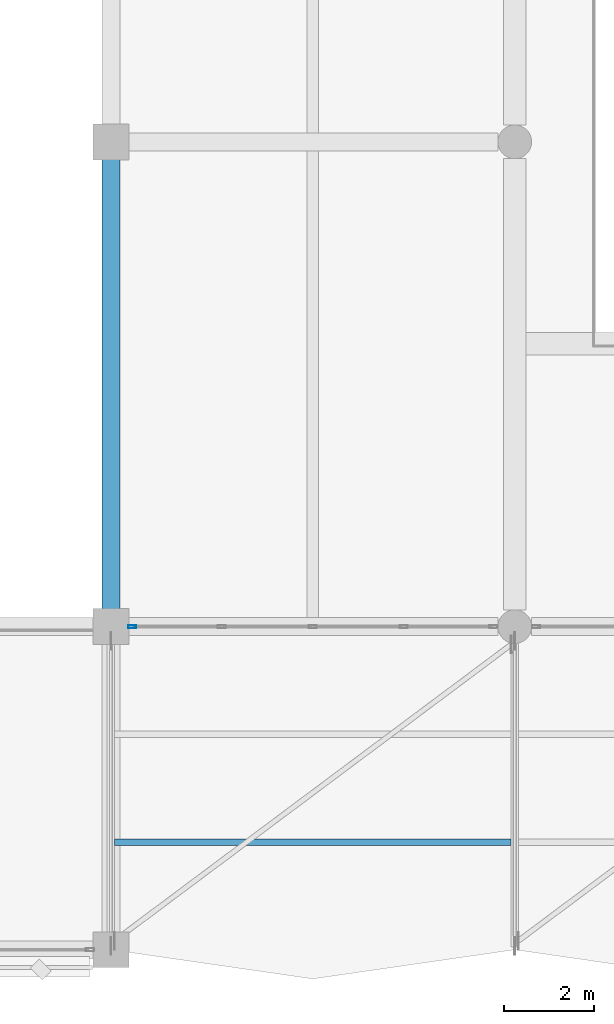
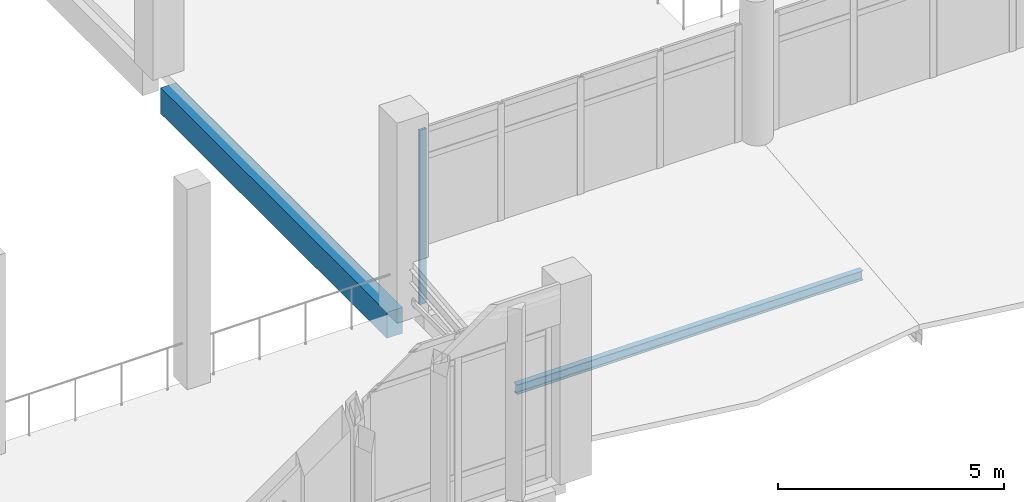
# One storey, part 33 of 180: 2 beams, 1 member, 1 element without a shape of its own.
"""IFC4 building model written with IfcOpenShell, lengths in metres."""

from ifc_helpers import new_model, si_unit, direction, frame, origin, origin_2d, place, context, subcontext, project, spatial, rectangle, hollow_rectangle, i_section, extrude, material, material_profile, profile_set, type_object, element, aggregate, save


model = new_model("IFC4")

# Units and contexts
model_context = context("Model", 3, precision=1e-05, world=origin(), true_north=direction((0.0, 1.0)))
body_context = subcontext(model_context, "Body", "Model", "MODEL_VIEW")
ifc_project = project(units=[si_unit("LENGTHUNIT", "METRE"), si_unit("AREAUNIT", "SQUARE_METRE"), si_unit("VOLUMEUNIT", "CUBIC_METRE"), si_unit("PLANEANGLEUNIT", "RADIAN"), si_unit("MASSUNIT", "GRAM", prefix="KILO")], contexts=[model_context])

# Site, building, storey
site_placement = place(None, origin())
site = spatial("IfcSite", under=ifc_project, at=site_placement, CompositionType="ELEMENT")
building_placement = place(site_placement, origin())
building = spatial("IfcBuilding", under=site, at=building_placement, Name="Lusvemor Sports Hall", CompositionType="ELEMENT")
storey_placement = place(building_placement, frame((0.0, 0.0, 5.39990234375)))
storey = spatial("IfcBuildingStorey", under=building, at=storey_placement, Name="L01", CompositionType="ELEMENT", Elevation=5.39990234375)

# Curtain wall, member
ifc_material_1 = material(Name="Thermally broken bronze-anodized aluminium", Category="aluminium")
curtain_wall_type = type_object("IfcCurtainWallType", Name="CW_FOYER_A", PredefinedType="NOTDEFINED", material=ifc_material_1)
curtain_wall_placement = place(storey_placement, origin())
curtain_wall = element("IfcCurtainWall", 1, at=curtain_wall_placement, inside=storey, type_object=curtain_wall_type, Name="Curtain Wall CW-V4S-L01-0", PredefinedType="NOTDEFINED")
ifc_material_2 = material(Name="Thermally broken bronze-anodized aluminium", Category="aluminium")
ifc_material_profile_1 = material_profile(ifc_material_2, hollow_rectangle(XDim=0.070068359375, YDim=0.179931640625, WallThickness=0.0048828125, InnerFilletRadius=0.0048828125, OuterFilletRadius=0.010009765625, at=origin_2d()), Name="CWMUL180x70x5")
ifc_profile_set_1 = profile_set([ifc_material_profile_1], Name="Thermally broken bronze-anodized aluminium")
member_type = type_object("IfcMemberType", Name="CW_MUL_A", PredefinedType="MULLION", material=ifc_profile_set_1)
member_placement = place(storey_placement, frame((76.074951171875, 7.199951171875, 0.0), z_axis=(0.0, 0.0, 1.0), x_axis=(0.0, -1.0, 0.0)))
member = element("IfcMember", 2, at=member_placement, type_object=member_type, Name="CW01 mullion 5", PredefinedType="MULLION", context=body_context, shape_type="SweptSolid", body=[
    extrude(hollow_rectangle(XDim=0.070068359375, YDim=0.179931640625, WallThickness=0.0048828125, InnerFilletRadius=0.0048828125, OuterFilletRadius=0.010009765625, at=origin_2d()), origin(), (0.0, 0.0, 1.0), 4.7001953125),
])
aggregate(curtain_wall, [member])

# Beams
ifc_material_3 = material(Name="Steel S355", Category="steel")
ifc_material_profile_2 = material_profile(ifc_material_3, i_section(OverallWidth=0.14599609375, OverallDepth=0.258056640625, WebThickness=0.006103515625, FlangeThickness=0.009033203125, FilletRadius=0.012939453125, at=origin_2d()), Name="W250x32.7")
ifc_profile_set_2 = profile_set([ifc_material_profile_2], Name="Steel S355")
beam_type_1 = type_object("IfcBeamType", Name="JOIST_CANOPY", PredefinedType="JOIST", material=ifc_profile_set_2)
beam_1_placement = place(storey_placement, frame((75.679931640625, 2.39990234375, 0.74658203125), z_axis=(1.0, 0.0, 0.0), x_axis=(0.0, 1.0, 0.0)))
element("IfcBeam", 3, at=beam_1_placement, inside=storey, type_object=beam_type_1, Name="Canopy Purlin Joist 8-1", PredefinedType="JOIST", context=body_context, shape_type="SweptSolid", body=[
    extrude(i_section(OverallWidth=0.14599609375, OverallDepth=0.258056640625, WebThickness=0.006103515625, FlangeThickness=0.009033203125, FilletRadius=0.012939453125, at=origin_2d()), origin(), (0.0, 0.0, 1.0), 8.840087890625),
])
ifc_material_4 = material(Name="Concrete C40/50", Category="concrete")
ifc_material_profile_3 = material_profile(ifc_material_4, rectangle(XDim=0.39990234375, YDim=0.699951171875, at=origin_2d()), Name="RC400x700")
ifc_profile_set_3 = profile_set([ifc_material_profile_3], Name="Concrete C40/50")
beam_type_2 = type_object("IfcBeamType", Name="SPAND_EXT_700", PredefinedType="SPANDREL", material=ifc_profile_set_3)
beam_2_placement = place(storey_placement, frame((75.60009765625, 7.595947265625, -0.60986328125), z_axis=(0.0, 1.0, 0.0), x_axis=(-1.0, 0.0, 0.0)))
element("IfcBeam", 4, at=beam_2_placement, inside=storey, type_object=beam_type_2, Name="Beam L01 8:B-C", PredefinedType="SPANDREL", context=body_context, shape_type="SweptSolid", body=[
    extrude(rectangle(XDim=0.39990234375, YDim=0.699951171875, at=origin_2d()), origin(), (0.0, 0.0, 1.0), 10.008056640625),
])

save(model, "model.ifc")
